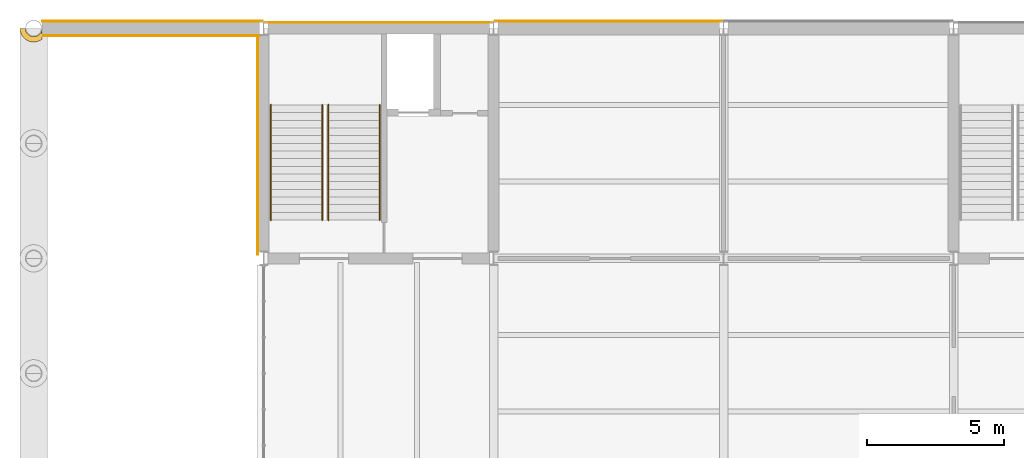
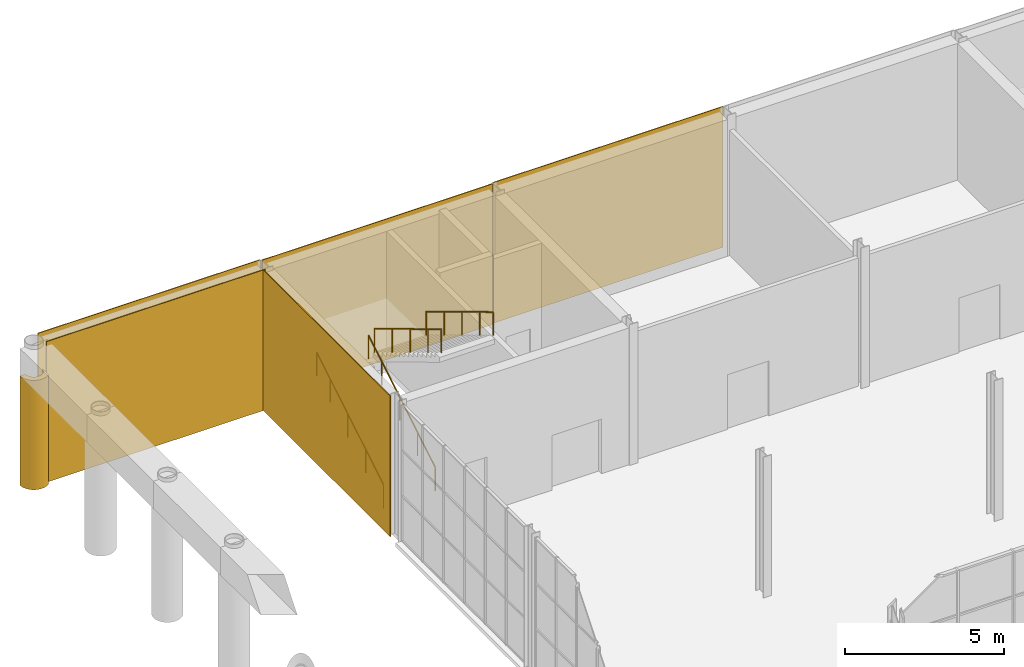
# One storey, part 51 of 64: 6 coverings, 4 railings.
"""IFC4 building model written with IfcOpenShell, lengths in metres."""

from ifc_helpers import new_model, si_unit, direction, frame, origin, origin_2d, place, context, subcontext, project, spatial, polyline, rectangle, circle, outline, extrude, material, layer, layer_set, type_object, element, save


model = new_model("IFC4")

# Units and contexts
model_context = context("Model", 3, precision=1e-05, world=origin(), true_north=direction((0.0, 1.0)))
body_context = subcontext(model_context, "Body", "Model", "MODEL_VIEW")
ifc_project = project(units=[si_unit("LENGTHUNIT", "METRE"), si_unit("AREAUNIT", "SQUARE_METRE"), si_unit("VOLUMEUNIT", "CUBIC_METRE"), si_unit("PLANEANGLEUNIT", "RADIAN"), si_unit("MASSUNIT", "GRAM", prefix="KILO")], contexts=[model_context])

# Site, building, storey
site_placement = place(None, origin())
site = spatial("IfcSite", under=ifc_project, at=site_placement, CompositionType="ELEMENT")
building_placement = place(site_placement, origin())
building = spatial("IfcBuilding", under=site, at=building_placement, Name="Galleria Vessillo Department Store", CompositionType="ELEMENT")
storey_placement = place(building_placement, frame((0.0, 0.0, 6.0)))
storey = spatial("IfcBuildingStorey", under=building, at=storey_placement, Name="L01", CompositionType="ELEMENT", Elevation=6.0)

# Coverings
ifc_material_1 = material(Name="Lime plaster (intonaco) ochre")
ifc_layer_1 = layer(ifc_material_1, 0.030029296875)
ifc_layer_set_1 = layer_set([ifc_layer_1], Name="Lime plaster (intonaco) ochre")
covering_type_1 = type_object("IfcCoveringType", Name="Lime plaster render 30 mm", PredefinedType="CLADDING", material=ifc_layer_set_1)
covering_1_placement = place(storey_placement, frame((4.33740234375, 63.264892578125, 0.0), z_axis=(0.0, 0.0, 1.0), x_axis=(1.0, 0.0, 0.0)))
element("IfcCovering", 1, at=covering_1_placement, inside=storey, type_object=covering_type_1, Name="Wall cladding S-PN-L01-01", PredefinedType="CLADDING", context=body_context, shape_type="SweptSolid", body=[
    extrude(rectangle(XDim=8.065185546875, YDim=0.030029296875, at=origin_2d()), origin(), (0.0, 0.0, 1.0), 5.39990234375),
])
for number, where, z_axis, x_axis, name in (
    (2, (12.599853515625, 63.215087890625, 0.0), (0.0, 0.0, 1.0), (1.0, 0.0, 0.0), "Wall cladding S-CW-PC-NW-PARTY-L01"),
    (3, (21.0, 63.264892578125, 0.0), (0.0, 0.0, 1.0), (1.0, 0.0, 0.0), "Wall cladding S-PN-L01-02"),
):
    element("IfcCovering", number, at=place(storey_placement, frame(where, z_axis=z_axis, x_axis=x_axis)), inside=storey, type_object=covering_type_1, Name=name, PredefinedType="CLADDING", context=body_context, shape_type="SweptSolid", body=[
        extrude(rectangle(XDim=8.340087890625, YDim=0.030029296875, at=origin_2d()), origin(), (0.0, 0.0, 1.0), 5.39990234375),
    ])
ifc_material_2 = material(Name="Botticino limestone ashlar", Category="masonry")
ifc_layer_2 = layer(ifc_material_2, 0.195068359375)
ifc_layer_set_2 = layer_set([ifc_layer_2], Name="Botticino limestone ashlar")
covering_type_2 = type_object("IfcCoveringType", Name="Limestone column drum cladding 1000 mm", PredefinedType="CLADDING", material=ifc_layer_set_2)
covering_2_placement = place(storey_placement, origin())
element("IfcCovering", 4, at=covering_2_placement, inside=storey, type_object=covering_type_2, Name="Corner column drum cladding L01 y=63", PredefinedType="CLADDING", context=body_context, shape_type="SweptSolid", body=[
    extrude(outline(polyline([(0.25, 62.56689453125), (0.19140625, 62.5380859375), (0.12939453125, 62.51708984375), (0.065185546875, 62.50439453125), (0.0, 62.5), (-0.065185546875, 62.50439453125), (-0.12939453125, 62.51708984375), (-0.19140625, 62.5380859375), (-0.25, 62.56689453125), (-0.304443359375, 62.603271484375), (-0.353515625, 62.646484375), (-0.396728515625, 62.695556640625), (-0.43310546875, 62.75), (-0.4619140625, 62.80859375), (-0.48291015625, 62.87060546875), (-0.49560546875, 62.934814453125), (-0.5, 63.0), (-0.3056640625, 63.0), (-0.302978515625, 62.960205078125), (-0.295166015625, 62.9208984375), (-0.282470703125, 62.883056640625), (-0.2646484375, 62.84716796875), (-0.242431640625, 62.81396484375), (-0.216064453125, 62.783935546875), (-0.18603515625, 62.757568359375), (-0.15283203125, 62.7353515625), (-0.116943359375, 62.717529296875), (-0.0791015625, 62.704833984375), (-0.039794921875, 62.697021484375), (0.0, 62.6943359375), (0.039794921875, 62.697021484375), (0.0791015625, 62.704833984375), (0.116943359375, 62.717529296875), (0.15283203125, 62.7353515625), (0.18603515625, 62.757568359375), (0.216064453125, 62.783935546875), (0.242431640625, 62.81396484375), (0.2646484375, 62.84716796875), (0.282470703125, 62.883056640625), (0.295166015625, 62.9208984375), (0.302978515625, 62.960205078125), (0.304931640625, 62.989990234375), (0.304931640625, 62.60400390625), (0.304443359375, 62.603271484375), (0.25, 62.56689453125)])), origin(), (0.0, 0.0, 1.0), 4.199951171875),
])
ifc_material_3 = material(Name="Botticino limestone ashlar", Category="masonry")
ifc_layer_3 = layer(ifc_material_3, 0.030029296875)
ifc_layer_set_3 = layer_set([ifc_layer_3], Name="Botticino limestone ashlar")
covering_type_3 = type_object("IfcCoveringType", Name="Limestone wall cladding 30 mm", PredefinedType="CLADDING", material=ifc_layer_set_3)
covering_3_placement = place(storey_placement, frame((8.184814453125, 58.739990234375, 0.0), z_axis=(0.0, 0.0, 1.0), x_axis=(1.0, 0.0, 0.0)))
element("IfcCovering", 5, at=covering_3_placement, inside=storey, type_object=covering_type_3, Name="Wall cladding S-CW-PC-NW-WEST-L01", PredefinedType="CLADDING", context=body_context, shape_type="SweptSolid", body=[
    extrude(rectangle(XDim=0.030029296875, YDim=8.02001953125, at=origin_2d()), origin(), (0.0, 0.0, 1.0), 5.39990234375),
])
covering_4_placement = place(storey_placement, frame((4.27734375, 62.735107421875, 0.0), z_axis=(0.0, 0.0, 1.0), x_axis=(1.0, 0.0, 0.0)))
element("IfcCovering", 6, at=covering_4_placement, inside=storey, type_object=covering_type_3, Name="Loggia end bay cladding S-PN-L01-01", PredefinedType="CLADDING", context=body_context, shape_type="SweptSolid", body=[
    extrude(rectangle(XDim=7.945068359375, YDim=0.030029296875, at=origin_2d()), origin(), (0.0, 0.0, 1.0), 5.39990234375),
])

# Railings
ifc_material_4 = material(Name="Stainless steel tube", Category="steel")
railing_type = type_object("IfcRailingType", Name="Stair handrail steel tube 48 mm", PredefinedType="HANDRAIL", material=ifc_material_4)
for number, where, name in (
    (7, (8.66015625, 56.0, 0.168701171875), "Handrail ST2 L01 flight 1A"),
    (8, (10.5400390625, 56.0, 0.168701171875), "Handrail ST2 L01 flight 1B"),
):
    element("IfcRailing", number, at=place(storey_placement, frame(where)), inside=storey, type_object=railing_type, Name=name, PredefinedType="HANDRAIL", context=body_context, shape_type="SweptSolid", body=[
        extrude(circle(Radius=0.02392578125, at=origin_2d()), frame((0.0, 0.0, 0.89599609375), z_axis=(0.0, 0.856486514401, 0.516169401116), x_axis=(-1.0, 0.0, 0.0)), (0.0, 0.0, 1.0), 1.307861328125),
        extrude(circle(Radius=0.02392578125, at=origin_2d()), frame((0.0, 1.1201171875, 1.57080078125), z_axis=(0.0, 0.856436765236, 0.516251941548), x_axis=(-1.0, 0.0, 0.0)), (0.0, 0.0, 1.0), 1.3076171875),
        extrude(circle(Radius=0.02392578125, at=origin_2d()), frame((0.0, 2.239990234375, 2.24609375), z_axis=(0.0, 0.856486514401, 0.516169401116), x_axis=(-1.0, 0.0, 0.0)), (0.0, 0.0, 1.0), 1.307861328125),
        extrude(circle(Radius=0.02392578125, at=origin_2d()), frame((0.0, 3.360107421875, 2.9208984375), z_axis=(0.0, 0.856502732318, 0.516142489563), x_axis=(-1.0, 0.0, 0.0)), (0.0, 0.0, 1.0), 0.98046875),
        extrude(circle(Radius=0.02099609375, at=origin_2d()), origin(), (0.0, 0.0, 1.0), 0.871826171875),
        extrude(circle(Radius=0.02099609375, at=origin_2d()), frame((0.0, 1.1201171875, 0.675048828125)), (0.0, 0.0, 1.0), 0.871826171875),
        extrude(circle(Radius=0.02099609375, at=origin_2d()), frame((0.0, 2.239990234375, 1.35009765625)), (0.0, 0.0, 1.0), 0.871826171875),
        extrude(circle(Radius=0.02099609375, at=origin_2d()), frame((0.0, 3.360107421875, 2.025146484375)), (0.0, 0.0, 1.0), 0.871826171875),
        extrude(circle(Radius=0.02099609375, at=origin_2d()), frame((0.0, 4.199951171875, 2.53125)), (0.0, 0.0, 1.0), 0.871826171875),
    ])
for number, where, name in (
    (9, (12.639892578125, 60.199951171875, 2.86865234375), "Handrail ST2 L01 flight 2A"),
    (10, (10.760009765625, 60.199951171875, 2.86865234375), "Handrail ST2 L01 flight 2B"),
):
    element("IfcRailing", number, at=place(storey_placement, frame(where)), inside=storey, type_object=railing_type, Name=name, PredefinedType="HANDRAIL", context=body_context, shape_type="SweptSolid", body=[
        extrude(circle(Radius=0.02392578125, at=origin_2d()), frame((0.0, 0.0, 0.89599609375), z_axis=(0.0, -0.856486514401, 0.516169401116), x_axis=(1.0, 0.0, 0.0)), (0.0, 0.0, 1.0), 1.307861328125),
        extrude(circle(Radius=0.02392578125, at=origin_2d()), frame((0.0, -1.1201171875, 1.57080078125), z_axis=(0.0, -0.856436765236, 0.516251941548), x_axis=(1.0, 0.0, 0.0)), (0.0, 0.0, 1.0), 1.3076171875),
        extrude(circle(Radius=0.02392578125, at=origin_2d()), frame((0.0, -2.239990234375, 2.24609375), z_axis=(0.0, -0.856486514401, 0.516169401116), x_axis=(1.0, 0.0, 0.0)), (0.0, 0.0, 1.0), 1.307861328125),
        extrude(circle(Radius=0.02392578125, at=origin_2d()), frame((0.0, -3.360107421875, 2.9208984375), z_axis=(0.0, -0.856502732318, 0.516142489563), x_axis=(1.0, 0.0, 0.0)), (0.0, 0.0, 1.0), 0.98046875),
        extrude(circle(Radius=0.02099609375, at=origin_2d()), origin(), (0.0, 0.0, 1.0), 0.871826171875),
        extrude(circle(Radius=0.02099609375, at=origin_2d()), frame((0.0, -1.1201171875, 0.675048828125)), (0.0, 0.0, 1.0), 0.871826171875),
        extrude(circle(Radius=0.02099609375, at=origin_2d()), frame((0.0, -2.239990234375, 1.35009765625)), (0.0, 0.0, 1.0), 0.871826171875),
        extrude(circle(Radius=0.02099609375, at=origin_2d()), frame((0.0, -3.360107421875, 2.025146484375)), (0.0, 0.0, 1.0), 0.871826171875),
        extrude(circle(Radius=0.02099609375, at=origin_2d()), frame((0.0, -4.199951171875, 2.53125)), (0.0, 0.0, 1.0), 0.871826171875),
    ])

save(model, "model.ifc")
